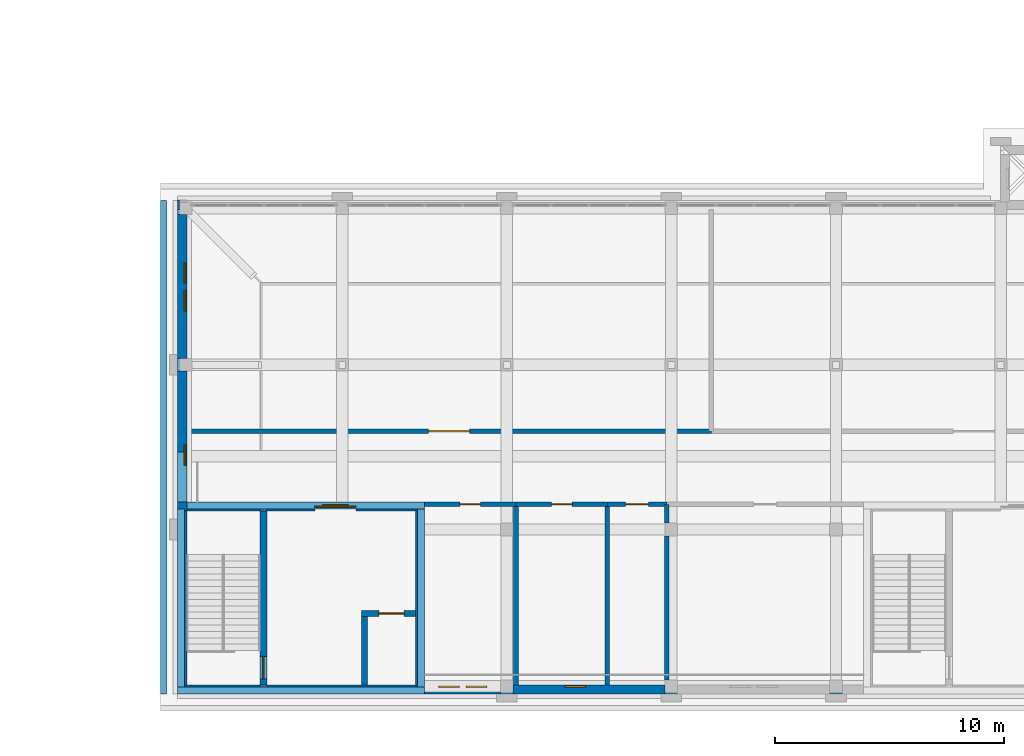
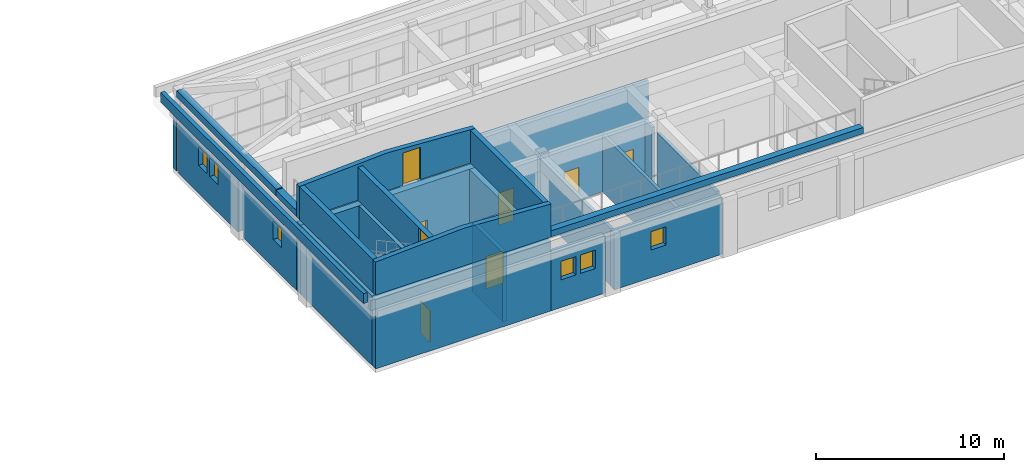
# One storey, part 35 of 48: 29 walls, 9 doors, 6 windows, 15 openings.
"""IFC4 building model written with IfcOpenShell, lengths in metres."""

from ifc_helpers import new_model, si_unit, direction, frame, frame_2d, origin, place, context, subcontext, project, spatial, polyline, rectangle, outline, extrude, material, layer, layer_set, type_object, element, fill, save


model = new_model("IFC4")

# Units and contexts
model_context = context("Model", 3, precision=1e-05, world=origin(), true_north=direction((0.0, 1.0)))
body_context = subcontext(model_context, "Body", "Model", "MODEL_VIEW")
ifc_project = project(units=[si_unit("LENGTHUNIT", "METRE"), si_unit("AREAUNIT", "SQUARE_METRE"), si_unit("VOLUMEUNIT", "CUBIC_METRE"), si_unit("PLANEANGLEUNIT", "RADIAN"), si_unit("MASSUNIT", "GRAM", prefix="KILO")], contexts=[model_context])

# Site, building, storey
site_placement = place(None, origin())
site = spatial("IfcSite", under=ifc_project, at=site_placement, CompositionType="ELEMENT")
building_placement = place(site_placement, origin())
building = spatial("IfcBuilding", under=site, at=building_placement, Name="Alderwick Market Hall", CompositionType="ELEMENT")
storey_placement = place(building_placement, frame((0.0, 0.0, 14.39990234375)))
storey = spatial("IfcBuildingStorey", under=building, at=storey_placement, Name="L02", CompositionType="ELEMENT", Elevation=14.39990234375)

# Wall
ifc_material_1 = material(Name="Face brick", Category="masonry")
ifc_layer_1 = layer(ifc_material_1, 0.39990234375)
ifc_layer_set_1 = layer_set([ifc_layer_1], Name="Face brick")
wall_type_1 = type_object("IfcWallType", Name="C Brick Pier Wall 400", PredefinedType="SOLIDWALL", material=ifc_layer_set_1)
wall_1_placement = place(storey_placement, frame((158.39990234375, 28.60009765625, 0.0), z_axis=(0.0, 0.0, 1.0), x_axis=(1.0, 0.0, 0.0)))
element("IfcWall", 1, at=wall_1_placement, inside=storey, type_object=wall_type_1, Name="C.wall.L02.fac.front.01", PredefinedType="SOLIDWALL", context=body_context, shape_type="SweptSolid", body=[
    extrude(rectangle(XDim=0.0751953125, YDim=0.39990234375, at=frame_2d((0.03759765625, 0.0))), origin(), (0.0, 0.0, 1.0), 3.7001953125),
])

# Wall, openings, windows
wall_2_placement = place(storey_placement, frame((172.52490234375, 7.39990234375, 0.0), z_axis=(0.0, 0.0, 1.0), x_axis=(-1.0, 0.0, 0.0)))
wall_2 = element("IfcWall", 2, at=wall_2_placement, inside=storey, type_object=wall_type_1, Name="C.wall.L02.fac.back.02", PredefinedType="SOLIDWALL", context=body_context, shape_type="SweptSolid", body=[
    extrude(rectangle(XDim=3.324951171875, YDim=0.39990234375, at=frame_2d((1.66259765625, 0.0))), origin(), (0.0, 0.0, 1.0), 3.7001953125),
])
opening_1_placement = place(wall_2_placement, frame((0.612548828125, 0.0, 1.800048828125)))
opening_1 = element("IfcOpeningElement", 3, at=opening_1_placement, cuts=wall_2, Name="Opening C-W057", PredefinedType="OPENING", context=body_context, shape_type="SweptSolid", body=[
    extrude(rectangle(XDim=0.89990234375, YDim=1.199951171875, at=frame_2d((0.449951171875, 0.60009765625))), frame((0.0, 0.2099609375, 0.0), z_axis=(0.0, -1.0, 0.0), x_axis=(1.0, 0.0, 0.0)), (0.0, 0.0, 1.0), 0.419921875),
])
opening_2_placement = place(wall_2_placement, frame((1.8125, 0.0, 1.800048828125)))
opening_2 = element("IfcOpeningElement", 4, at=opening_2_placement, cuts=wall_2, Name="Opening C-W058", PredefinedType="OPENING", context=body_context, shape_type="SweptSolid", body=[
    extrude(rectangle(XDim=0.89990234375, YDim=1.199951171875, at=frame_2d((0.449951171875, 0.60009765625))), frame((0.0, 0.2099609375, 0.0), z_axis=(0.0, -1.0, 0.0), x_axis=(1.0, 0.0, 0.0)), (0.0, 0.0, 1.0), 0.419921875),
])
ifc_material_2 = material(Name="Aluminium frame, double glazing", Category="aluminium")
window_type = type_object("IfcWindowType", Name="C Paired Attic Window 900x1200", PartitioningType="SINGLE_PANEL", PredefinedType="WINDOW", material=ifc_material_2)
window_1_placement = place(opening_1_placement, origin())
window_1 = element("IfcWindow", 5, at=window_1_placement, inside=storey, type_object=window_type, Name="C.win.L02.057", OverallHeight=1.199951171875, OverallWidth=0.89990234375, PartitioningType="SINGLE_PANEL", PredefinedType="WINDOW", context=body_context, shape_type="SweptSolid", body=[
    extrude(rectangle(XDim=0.89990234375, YDim=1.199951171875, at=frame_2d((0.449951171875, 0.60009765625))), frame((0.0, -0.090087890625, 0.0), z_axis=(0.0, -1.0, 0.0), x_axis=(1.0, 0.0, 0.0)), (0.0, 0.0, 1.0), 0.06005859375),
])
fill(opening_1, window_1)
window_2_placement = place(opening_2_placement, origin())
window_2 = element("IfcWindow", 6, at=window_2_placement, inside=storey, type_object=window_type, Name="C.win.L02.058", OverallHeight=1.199951171875, OverallWidth=0.89990234375, PartitioningType="SINGLE_PANEL", PredefinedType="WINDOW", context=body_context, shape_type="SweptSolid", body=[
    extrude(rectangle(XDim=0.89990234375, YDim=1.199951171875, at=frame_2d((0.449951171875, 0.60009765625))), frame((0.0, -0.090087890625, 0.0), z_axis=(0.0, -1.0, 0.0), x_axis=(1.0, 0.0, 0.0)), (0.0, 0.0, 1.0), 0.06005859375),
])
fill(opening_2, window_2)

# Wall, opening, window
wall_3_placement = place(storey_placement, frame((179.72509765625, 7.39990234375, 0.0), z_axis=(0.0, 0.0, 1.0), x_axis=(-1.0, 0.0, 0.0)))
wall_3 = element("IfcWall", 7, at=wall_3_placement, inside=storey, type_object=wall_type_1, Name="C.wall.L02.fac.back.03", PredefinedType="SOLIDWALL", context=body_context, shape_type="SweptSolid", body=[
    extrude(rectangle(XDim=6.650146484375, YDim=0.39990234375, at=frame_2d((3.3251953125, 0.0))), origin(), (0.0, 0.0, 1.0), 3.7001953125),
])
opening_3_placement = place(wall_3_placement, frame((3.47509765625, 0.0, 1.800048828125)))
opening_3 = element("IfcOpeningElement", 8, at=opening_3_placement, cuts=wall_3, Name="Opening C-W059", PredefinedType="OPENING", context=body_context, shape_type="SweptSolid", body=[
    extrude(rectangle(XDim=0.89990234375, YDim=1.199951171875, at=frame_2d((0.449951171875, 0.60009765625))), frame((0.0, 0.2099609375, 0.0), z_axis=(0.0, -1.0, 0.0), x_axis=(1.0, 0.0, 0.0)), (0.0, 0.0, 1.0), 0.419921875),
])
window_3_placement = place(opening_3_placement, origin())
window_3 = element("IfcWindow", 9, at=window_3_placement, inside=storey, type_object=window_type, Name="C.win.L02.059", OverallHeight=1.199951171875, OverallWidth=0.89990234375, PartitioningType="SINGLE_PANEL", PredefinedType="WINDOW", context=body_context, shape_type="SweptSolid", body=[
    extrude(rectangle(XDim=0.89990234375, YDim=1.199951171875, at=frame_2d((0.449951171875, 0.60009765625))), frame((0.0, -0.090087890625, 0.0), z_axis=(0.0, -1.0, 0.0), x_axis=(1.0, 0.0, 0.0)), (0.0, 0.0, 1.0), 0.06005859375),
])
fill(opening_3, window_3)

# Walls
ifc_material_3 = material(Name="Concrete 5000 psi (f'c 35 MPa)", Category="concrete")
ifc_layer_2 = layer(ifc_material_3, 0.39990234375)
ifc_layer_set_2 = layer_set([ifc_layer_2], Name="Concrete 5000 psi (f'c 35 MPa)")
wall_type_2 = type_object("IfcWallType", Name="C Core Wall Concrete 5000 psi 400", PredefinedType="SHEAR", material=ifc_layer_set_2)
wall_4_placement = place(storey_placement, frame((158.60009765625, 7.60009765625, 0.0), z_axis=(0.0, 0.0, 1.0), x_axis=(0.0, 1.0, 0.0)))
element("IfcWall", 10, at=wall_4_placement, inside=storey, type_object=wall_type_2, Name="C.wall.L02.fac.west.04", PredefinedType="SHEAR", context=body_context, shape_type="SweptSolid", body=[
    extrude(rectangle(XDim=7.599853515625, YDim=0.39990234375, at=frame_2d((3.7998046875, 0.0))), origin(), (0.0, 0.0, 1.0), 4.5),
])
wall_5_placement = place(storey_placement, frame((169.199951171875, 7.39990234375, 0.0), z_axis=(0.0, 0.0, 1.0), x_axis=(-1.0, 0.0, 0.0)))
element("IfcWall", 11, at=wall_5_placement, inside=storey, type_object=wall_type_2, Name="C.wall.L02.fac.back.01", PredefinedType="SHEAR", context=body_context, shape_type="SweptSolid", body=[
    extrude(rectangle(XDim=10.800048828125, YDim=0.39990234375, at=frame_2d((5.39990234375, 0.0))), origin(), (0.0, 0.0, 1.0), 4.5),
])

# Wall, opening, door
wall_6_placement = place(storey_placement, frame((158.39990234375, 15.39990234375, 0.0), z_axis=(0.0, 0.0, 1.0), x_axis=(1.0, 0.0, 0.0)))
wall_6 = element("IfcWall", 12, at=wall_6_placement, inside=storey, type_object=wall_type_2, Name="C.wall.L02.core.A.front.01", PredefinedType="SHEAR", context=body_context, shape_type="SweptSolid", body=[
    extrude(rectangle(XDim=10.800048828125, YDim=0.39990234375, at=frame_2d((5.39990234375, 0.0))), origin(), (0.0, 0.0, 1.0), 4.5),
])
opening_4_placement = place(wall_6_placement, frame((6.0, 0.0, 0.0)))
opening_4 = element("IfcOpeningElement", 13, at=opening_4_placement, cuts=wall_6, Name="Opening C-D073", PredefinedType="OPENING", context=body_context, shape_type="SweptSolid", body=[
    extrude(rectangle(XDim=1.800048828125, YDim=2.10009765625, at=frame_2d((0.89990234375, 1.050048828125))), frame((0.0, 0.2099609375, 0.0), z_axis=(0.0, -1.0, 0.0), x_axis=(1.0, 0.0, 0.0)), (0.0, 0.0, 1.0), 0.419921875),
])
ifc_material_4 = material(Name="Steel, insulated", Category="steel")
door_type_1 = type_object("IfcDoorType", Name="C Fire Door Pair FD90 1800x2100", OperationType="NOTDEFINED", PredefinedType="DOOR", material=ifc_material_4)
door_1_placement = place(opening_4_placement, origin())
door_1 = element("IfcDoor", 14, at=door_1_placement, inside=storey, type_object=door_type_1, Name="C.door.L02.073", OperationType="NOTDEFINED", OverallHeight=2.10009765625, OverallWidth=1.800048828125, PredefinedType="DOOR", context=body_context, shape_type="SweptSolid", body=[
    extrude(rectangle(XDim=1.800048828125, YDim=2.10009765625, at=frame_2d((0.89990234375, 1.050048828125))), frame((0.0, 0.02490234375, 0.0), z_axis=(0.0, -1.0, 0.0), x_axis=(1.0, 0.0, 0.0)), (0.0, 0.0, 1.0), 0.050048828125),
])
fill(opening_4, door_1)

# Walls
wall_7_placement = place(storey_placement, frame((169.0, 15.199951171875, 0.0), z_axis=(0.0, 0.0, 1.0), x_axis=(0.0, -1.0, 0.0)))
element("IfcWall", 15, at=wall_7_placement, inside=storey, type_object=wall_type_2, Name="C.wall.L02.core.A.east.01", PredefinedType="SHEAR", context=body_context, shape_type="SweptSolid", body=[
    extrude(rectangle(XDim=7.599853515625, YDim=0.39990234375, at=frame_2d((3.7998046875, 0.0))), origin(), (0.0, 0.0, 1.0), 4.5),
])
ifc_material_5 = material(Name="Cast stone 5000 psi", Category="masonry")
ifc_layer_3 = layer(ifc_material_5, 0.25)
ifc_layer_set_3 = layer_set([ifc_layer_3], Name="Cast stone 5000 psi")
wall_type_3 = type_object("IfcWallType", Name="C Cornice Fascia Cast Stone 250x650", PredefinedType="SOLIDWALL", material=ifc_layer_set_3)
wall_8_placement = place(storey_placement, frame((157.77490234375, 7.199951171875, 4.5), z_axis=(0.0, 0.0, 1.0), x_axis=(0.0, 1.0, 0.0)))
element("IfcWall", 16, at=wall_8_placement, inside=storey, type_object=wall_type_3, Name="C.wall.L02.fascia.west.01", PredefinedType="SOLIDWALL", context=body_context, shape_type="SweptSolid", body=[
    extrude(rectangle(XDim=21.60009765625, YDim=0.25, at=frame_2d((10.800048828125, 0.0))), origin(), (0.0, 0.0, 1.0), 0.650146484375),
])
ifc_layer_4 = layer(ifc_material_3, 0.39990234375)
ifc_layer_set_4 = layer_set([ifc_layer_4], Name="Concrete 5000 psi (f'c 35 MPa)")
wall_type_4 = type_object("IfcWallType", Name="C Eaves Kerb Concrete 5000 psi 400", PredefinedType="SOLIDWALL", material=ifc_layer_set_4)
wall_9_placement = place(storey_placement, frame((158.60009765625, 17.800048828125, 4.800048828125), z_axis=(0.0, 0.0, 1.0), x_axis=(0.0, 1.0, 0.0)))
element("IfcWall", 17, at=wall_9_placement, inside=storey, type_object=wall_type_4, Name="C.wall.L02.kerb.west.01", PredefinedType="SOLIDWALL", context=body_context, shape_type="SweptSolid", body=[
    extrude(rectangle(XDim=10.599853515625, YDim=0.39990234375, at=frame_2d((5.2998046875, 0.0))), origin(), (0.0, 0.0, 1.0), 0.449951171875),
])

# Wall, openings, windows
ifc_layer_5 = layer(ifc_material_3, 0.39990234375)
ifc_layer_set_5 = layer_set([ifc_layer_5], Name="Concrete 5000 psi (f'c 35 MPa)")
wall_type_5 = type_object("IfcWallType", Name="C End Shear Wall Concrete 5000 psi 400", PredefinedType="SHEAR", material=ifc_layer_set_5)
wall_10_placement = place(storey_placement, frame((158.60009765625, 21.875, 0.0), z_axis=(0.0, 0.0, 1.0), x_axis=(0.0, 1.0, 0.0)))
wall_10 = element("IfcWall", 18, at=wall_10_placement, inside=storey, type_object=wall_type_5, Name="C.wall.L02.fac.west.02", PredefinedType="SHEAR", context=body_context, shape_type="SweptSolid", body=[
    extrude(rectangle(XDim=6.300048828125, YDim=0.39990234375, at=frame_2d((3.14990234375, 0.0))), origin(), (0.0, 0.0, 1.0), 3.7001953125),
])
opening_5_placement = place(wall_10_placement, frame((2.10009765625, 0.0, 1.800048828125)))
opening_5 = element("IfcOpeningElement", 19, at=opening_5_placement, cuts=wall_10, Name="Opening C-W054", PredefinedType="OPENING", context=body_context, shape_type="SweptSolid", body=[
    extrude(rectangle(XDim=0.89990234375, YDim=1.199951171875, at=frame_2d((0.449951171875, 0.60009765625))), frame((0.0, 0.2099609375, 0.0), z_axis=(0.0, -1.0, 0.0), x_axis=(1.0, 0.0, 0.0)), (0.0, 0.0, 1.0), 0.419921875),
])
opening_6_placement = place(wall_10_placement, frame((3.300048828125, 0.0, 1.800048828125)))
opening_6 = element("IfcOpeningElement", 20, at=opening_6_placement, cuts=wall_10, Name="Opening C-W055", PredefinedType="OPENING", context=body_context, shape_type="SweptSolid", body=[
    extrude(rectangle(XDim=0.89990234375, YDim=1.199951171875, at=frame_2d((0.449951171875, 0.60009765625))), frame((0.0, 0.2099609375, 0.0), z_axis=(0.0, -1.0, 0.0), x_axis=(1.0, 0.0, 0.0)), (0.0, 0.0, 1.0), 0.419921875),
])
window_4_placement = place(opening_5_placement, origin())
window_4 = element("IfcWindow", 21, at=window_4_placement, inside=storey, type_object=window_type, Name="C.win.L02.054", OverallHeight=1.199951171875, OverallWidth=0.89990234375, PartitioningType="SINGLE_PANEL", PredefinedType="WINDOW", context=body_context, shape_type="SweptSolid", body=[
    extrude(rectangle(XDim=0.89990234375, YDim=1.199951171875, at=frame_2d((0.449951171875, 0.60009765625))), frame((0.0, -0.090087890625, 0.0), z_axis=(0.0, -1.0, 0.0), x_axis=(1.0, 0.0, 0.0)), (0.0, 0.0, 1.0), 0.06005859375),
])
fill(opening_5, window_4)
window_5_placement = place(opening_6_placement, origin())
window_5 = element("IfcWindow", 22, at=window_5_placement, inside=storey, type_object=window_type, Name="C.win.L02.055", OverallHeight=1.199951171875, OverallWidth=0.89990234375, PartitioningType="SINGLE_PANEL", PredefinedType="WINDOW", context=body_context, shape_type="SweptSolid", body=[
    extrude(rectangle(XDim=0.89990234375, YDim=1.199951171875, at=frame_2d((0.449951171875, 0.60009765625))), frame((0.0, -0.090087890625, 0.0), z_axis=(0.0, -1.0, 0.0), x_axis=(1.0, 0.0, 0.0)), (0.0, 0.0, 1.0), 0.06005859375),
])
fill(opening_6, window_5)

# Wall, opening, window
wall_11_placement = place(storey_placement, frame((158.60009765625, 15.199951171875, 0.0), z_axis=(0.0, 0.0, 1.0), x_axis=(0.0, 1.0, 0.0)))
wall_11 = element("IfcWall", 23, at=wall_11_placement, inside=storey, type_object=wall_type_5, Name="C.wall.L02.fac.west.03", PredefinedType="SHEAR", context=body_context, shape_type="SweptSolid", body=[
    extrude(rectangle(XDim=6.125, YDim=0.39990234375, at=frame_2d((3.0625, 0.0))), origin(), (0.0, 0.0, 1.0), 3.7001953125),
])
opening_7_placement = place(wall_11_placement, frame((2.012451171875, 0.0, 1.800048828125)))
opening_7 = element("IfcOpeningElement", 24, at=opening_7_placement, cuts=wall_11, Name="Opening C-W056", PredefinedType="OPENING", context=body_context, shape_type="SweptSolid", body=[
    extrude(rectangle(XDim=0.89990234375, YDim=1.199951171875, at=frame_2d((0.449951171875, 0.60009765625))), frame((0.0, 0.2099609375, 0.0), z_axis=(0.0, -1.0, 0.0), x_axis=(1.0, 0.0, 0.0)), (0.0, 0.0, 1.0), 0.419921875),
])
window_6_placement = place(opening_7_placement, origin())
window_6 = element("IfcWindow", 25, at=window_6_placement, inside=storey, type_object=window_type, Name="C.win.L02.056", OverallHeight=1.199951171875, OverallWidth=0.89990234375, PartitioningType="SINGLE_PANEL", PredefinedType="WINDOW", context=body_context, shape_type="SweptSolid", body=[
    extrude(rectangle(XDim=0.89990234375, YDim=1.199951171875, at=frame_2d((0.449951171875, 0.60009765625))), frame((0.0, -0.090087890625, 0.0), z_axis=(0.0, -1.0, 0.0), x_axis=(1.0, 0.0, 0.0)), (0.0, 0.0, 1.0), 0.06005859375),
])
fill(opening_7, window_6)

# Wall, opening, door
ifc_material_6 = material(Name="Gypsum board on steel studs", Category="steel")
ifc_layer_6 = layer(ifc_material_6, 0.199951171875)
ifc_layer_set_6 = layer_set([ifc_layer_6], Name="Gypsum board on steel studs")
wall_type_6 = type_object("IfcWallType", Name="C Fire Partition Wall 200", PredefinedType="PARTITIONING", material=ifc_layer_set_6)
wall_12_placement = place(storey_placement, frame((158.800048828125, 18.699951171875, 0.0), z_axis=(0.0, 0.0, 1.0), x_axis=(1.0, 0.0, 0.0)))
wall_12 = element("IfcWall", 26, at=wall_12_placement, inside=storey, type_object=wall_type_6, Name="C.wall.L02.part.001", PredefinedType="PARTITIONING", context=body_context, shape_type="SweptSolid", body=[
    extrude(rectangle(XDim=22.949951171875, YDim=0.199951171875, at=frame_2d((11.47509765625, 0.0))), origin(), (0.0, 0.0, 1.0), 3.7001953125),
])
opening_8_placement = place(wall_12_placement, frame((10.574951171875, 0.0, 0.0)))
opening_8 = element("IfcOpeningElement", 27, at=opening_8_placement, cuts=wall_12, Name="Opening C-D080", PredefinedType="OPENING", context=body_context, shape_type="SweptSolid", body=[
    extrude(rectangle(XDim=1.800048828125, YDim=2.10009765625, at=frame_2d((0.89990234375, 1.050048828125))), frame((0.0, 0.10986328125, 0.0), z_axis=(0.0, -1.0, 0.0), x_axis=(1.0, 0.0, 0.0)), (0.0, 0.0, 1.0), 0.219970703125),
])
door_type_2 = type_object("IfcDoorType", Name="C Fire Door Pair FD60 1800x2100", OperationType="NOTDEFINED", PredefinedType="DOOR", material=ifc_material_4)
door_2_placement = place(opening_8_placement, origin())
door_2 = element("IfcDoor", 28, at=door_2_placement, inside=storey, type_object=door_type_2, Name="C.door.L02.080", OperationType="NOTDEFINED", OverallHeight=2.10009765625, OverallWidth=1.800048828125, PredefinedType="DOOR", context=body_context, shape_type="SweptSolid", body=[
    extrude(rectangle(XDim=1.800048828125, YDim=2.10009765625, at=frame_2d((0.89990234375, 1.050048828125))), frame((0.0, 0.02490234375, 0.0), z_axis=(0.0, -1.0, 0.0), x_axis=(1.0, 0.0, 0.0)), (0.0, 0.0, 1.0), 0.050048828125),
])
fill(opening_8, door_2)

ifc_layer_7 = layer(ifc_material_3, 0.300048828125)
ifc_layer_set_7 = layer_set([ifc_layer_7], Name="Concrete 5000 psi (f'c 35 MPa)")
wall_type_7 = type_object("IfcWallType", Name="C Head-house Wall Concrete 5000 psi 300", PredefinedType="SOLIDWALL", material=ifc_layer_set_7)
wall_13_placement = place(storey_placement, frame((158.39990234375, 15.449951171875, 4.800048828125), z_axis=(0.0, 0.0, 1.0), x_axis=(1.0, 0.0, 0.0)))
wall_13 = element("IfcWall", 29, at=wall_13_placement, inside=storey, type_object=wall_type_7, Name="C.wall.L02.head.A.front.01", PredefinedType="SOLIDWALL", context=body_context, shape_type="SweptSolid", body=[
    extrude(outline(polyline([(0.0, 0.0), (10.800048828125, 0.0), (10.800048828125, 2.150146484375), (5.39990234375, 2.449951171875), (0.0, 2.150146484375), (0.0, 0.0)])), frame((0.0, 0.14990234375, 0.0), z_axis=(0.0, -1.0, 0.0), x_axis=(1.0, 0.0, 0.0)), (0.0, 0.0, 1.0), 0.300048828125),
])
opening_9_placement = place(wall_13_placement, frame((6.35009765625, 0.0, 0.0)))
opening_9 = element("IfcOpeningElement", 30, at=opening_9_placement, cuts=wall_13, Name="Opening C-D091", PredefinedType="OPENING", context=body_context, shape_type="SweptSolid", body=[
    extrude(rectangle(XDim=1.10009765625, YDim=2.10009765625, at=frame_2d((0.550048828125, 1.050048828125))), frame((0.0, 0.159912109375, 0.0), z_axis=(0.0, -1.0, 0.0), x_axis=(1.0, 0.0, 0.0)), (0.0, 0.0, 1.0), 0.320068359375),
])
door_type_3 = type_object("IfcDoorType", Name="C Exit Door FD60 1100x2100", OperationType="NOTDEFINED", PredefinedType="DOOR", material=ifc_material_4)
door_3_placement = place(opening_9_placement, origin())
door_3 = element("IfcDoor", 31, at=door_3_placement, inside=storey, type_object=door_type_3, Name="C.door.L02.091", OperationType="NOTDEFINED", OverallHeight=2.10009765625, OverallWidth=1.10009765625, PredefinedType="DOOR", context=body_context, shape_type="SweptSolid", body=[
    extrude(rectangle(XDim=1.10009765625, YDim=2.10009765625, at=frame_2d((0.550048828125, 1.050048828125))), frame((0.0, 0.02490234375, 0.0), z_axis=(0.0, -1.0, 0.0), x_axis=(1.0, 0.0, 0.0)), (0.0, 0.0, 1.0), 0.050048828125),
])
fill(opening_9, door_3)

# Walls
wall_14_placement = place(storey_placement, frame((158.39990234375, 7.35009765625, 4.800048828125), z_axis=(0.0, 0.0, 1.0), x_axis=(1.0, 0.0, 0.0)))
element("IfcWall", 32, at=wall_14_placement, inside=storey, type_object=wall_type_7, Name="C.wall.L02.head.A.back.01", PredefinedType="SOLIDWALL", context=body_context, shape_type="SweptSolid", body=[
    extrude(outline(polyline([(0.0, 0.0), (10.800048828125, 0.0), (10.800048828125, 2.150146484375), (5.39990234375, 2.449951171875), (0.0, 2.150146484375), (0.0, 0.0)])), frame((0.0, 0.14990234375, 0.0), z_axis=(0.0, -1.0, 0.0), x_axis=(1.0, 0.0, 0.0)), (0.0, 0.0, 1.0), 0.300048828125),
])
for number, where, z_axis, x_axis, name in (
    (33, (158.550048828125, 15.300048828125, 4.800048828125), (0.0, 0.0, 1.0), (0.0, -1.0, 0.0), "C.wall.L02.head.A.west.01"),
    (34, (169.050048828125, 15.300048828125, 4.800048828125), (0.0, 0.0, 1.0), (0.0, -1.0, 0.0), "C.wall.L02.head.A.east.01"),
):
    element("IfcWall", number, at=place(storey_placement, frame(where, z_axis=z_axis, x_axis=x_axis)), inside=storey, type_object=wall_type_7, Name=name, PredefinedType="SOLIDWALL", context=body_context, shape_type="SweptSolid", body=[
        extrude(rectangle(XDim=7.800048828125, YDim=0.300048828125, at=frame_2d((3.89990234375, 0.0))), origin(), (0.0, 0.0, 1.0), 2.150146484375),
    ])

# Wall, opening, door
wall_15_placement = place(storey_placement, frame((162.14990234375, 15.300048828125, 4.800048828125), z_axis=(0.0, 0.0, 1.0), x_axis=(0.0, -1.0, 0.0)))
wall_15 = element("IfcWall", 35, at=wall_15_placement, inside=storey, type_object=wall_type_7, Name="C.wall.L02.head.A.div.01", PredefinedType="SOLIDWALL", context=body_context, shape_type="SweptSolid", body=[
    extrude(rectangle(XDim=7.800048828125, YDim=0.300048828125, at=frame_2d((3.89990234375, 0.0))), origin(), (0.0, 0.0, 1.0), 2.150146484375),
])
opening_10_placement = place(wall_15_placement, frame((6.449951171875, 0.0, 0.0)))
opening_10 = element("IfcOpeningElement", 36, at=opening_10_placement, cuts=wall_15, Name="Opening C-D090", PredefinedType="OPENING", context=body_context, shape_type="SweptSolid", body=[
    extrude(rectangle(XDim=1.0, YDim=2.10009765625, at=frame_2d((0.5, 1.050048828125))), frame((0.0, 0.159912109375, 0.0), z_axis=(0.0, -1.0, 0.0), x_axis=(1.0, 0.0, 0.0)), (0.0, 0.0, 1.0), 0.320068359375),
])
door_type_4 = type_object("IfcDoorType", Name="C Fire Door FD90 1000x2100", OperationType="NOTDEFINED", PredefinedType="DOOR", material=ifc_material_4)
door_4_placement = place(opening_10_placement, origin())
door_4 = element("IfcDoor", 37, at=door_4_placement, inside=storey, type_object=door_type_4, Name="C.door.L02.090", OperationType="NOTDEFINED", OverallHeight=2.10009765625, OverallWidth=1.0, PredefinedType="DOOR", context=body_context, shape_type="SweptSolid", body=[
    extrude(rectangle(XDim=1.0, YDim=2.10009765625, at=frame_2d((0.5, 1.050048828125))), frame((0.0, 0.02490234375, 0.0), z_axis=(0.0, -1.0, 0.0), x_axis=(1.0, 0.0, 0.0)), (0.0, 0.0, 1.0), 0.050048828125),
])
fill(opening_10, door_4)

# Wall
ifc_layer_8 = layer(ifc_material_3, 0.25)
ifc_layer_set_8 = layer_set([ifc_layer_8], Name="Concrete 5000 psi (f'c 35 MPa)")
wall_type_8 = type_object("IfcWallType", Name="C Lift Shaft Wall Concrete 5000 psi 250", PredefinedType="SHEAR", material=ifc_layer_set_8)
wall_16_placement = place(storey_placement, frame((166.574951171875, 10.85009765625, 0.0), z_axis=(0.0, 0.0, 1.0), x_axis=(0.0, -1.0, 0.0)))
element("IfcWall", 38, at=wall_16_placement, inside=storey, type_object=wall_type_8, Name="C.wall.L02.core.A.shaftw.01", PredefinedType="SHEAR", context=body_context, shape_type="SweptSolid", body=[
    extrude(rectangle(XDim=3.25, YDim=0.25, at=frame_2d((1.625, 0.0))), origin(), (0.0, 0.0, 1.0), 4.5),
])

# Wall, opening, door
wall_17_placement = place(storey_placement, frame((166.449951171875, 10.72509765625, 0.0), z_axis=(0.0, 0.0, 1.0), x_axis=(1.0, 0.0, 0.0)))
wall_17 = element("IfcWall", 39, at=wall_17_placement, inside=storey, type_object=wall_type_8, Name="C.wall.L02.core.A.shaftf.01", PredefinedType="SHEAR", context=body_context, shape_type="SweptSolid", body=[
    extrude(rectangle(XDim=2.35009765625, YDim=0.25, at=frame_2d((1.175048828125, 0.0))), origin(), (0.0, 0.0, 1.0), 4.5),
])
opening_11_placement = place(wall_17_placement, frame((0.75, 0.0, 0.0)))
opening_11 = element("IfcOpeningElement", 40, at=opening_11_placement, cuts=wall_17, Name="Opening C-D074", PredefinedType="OPENING", context=body_context, shape_type="SweptSolid", body=[
    extrude(rectangle(XDim=1.10009765625, YDim=2.10009765625, at=frame_2d((0.550048828125, 1.050048828125))), frame((0.0, 0.135009765625, 0.0), z_axis=(0.0, -1.0, 0.0), x_axis=(1.0, 0.0, 0.0)), (0.0, 0.0, 1.0), 0.27001953125),
])
ifc_material_7 = material(Name="Stainless steel", Category="steel")
door_type_5 = type_object("IfcDoorType", Name="C Lift Landing Door 1100x2100", OperationType="SLIDING_TO_LEFT", PredefinedType="DOOR", material=ifc_material_7)
door_5_placement = place(opening_11_placement, origin())
door_5 = element("IfcDoor", 41, at=door_5_placement, inside=storey, type_object=door_type_5, Name="C.door.L02.074", OperationType="SLIDING_TO_LEFT", OverallHeight=2.10009765625, OverallWidth=1.10009765625, PredefinedType="DOOR", context=body_context, shape_type="SweptSolid", body=[
    extrude(rectangle(XDim=1.10009765625, YDim=2.10009765625, at=frame_2d((0.550048828125, 1.050048828125))), frame((0.0, 0.02490234375, 0.0), z_axis=(0.0, -1.0, 0.0), x_axis=(1.0, 0.0, 0.0)), (0.0, 0.0, 1.0), 0.050048828125),
])
fill(opening_11, door_5)

ifc_layer_9 = layer(ifc_material_6, 0.199951171875)
ifc_layer_set_9 = layer_set([ifc_layer_9], Name="Gypsum board on steel studs")
wall_type_9 = type_object("IfcWallType", Name="C Partition Wall 200", PredefinedType="PARTITIONING", material=ifc_layer_set_9)
wall_18_placement = place(storey_placement, frame((169.199951171875, 15.5, 0.0), z_axis=(0.0, 0.0, 1.0), x_axis=(1.0, 0.0, 0.0)))
wall_18 = element("IfcWall", 42, at=wall_18_placement, inside=storey, type_object=wall_type_9, Name="C.wall.L02.part.005", PredefinedType="PARTITIONING", context=body_context, shape_type="SweptSolid", body=[
    extrude(rectangle(XDim=4.0, YDim=0.199951171875, at=frame_2d((2.0, 0.0))), origin(), (0.0, 0.0, 1.0), 3.7001953125),
])
opening_12_placement = place(wall_18_placement, frame((1.550048828125, 0.0, 0.0)))
opening_12 = element("IfcOpeningElement", 43, at=opening_12_placement, cuts=wall_18, Name="Opening C-D084", PredefinedType="OPENING", context=body_context, shape_type="SweptSolid", body=[
    extrude(rectangle(XDim=0.89990234375, YDim=2.10009765625, at=frame_2d((0.449951171875, 1.050048828125))), frame((0.0, 0.10986328125, 0.0), z_axis=(0.0, -1.0, 0.0), x_axis=(1.0, 0.0, 0.0)), (0.0, 0.0, 1.0), 0.219970703125),
])
ifc_material_8 = material(Name="Timber, solid core", Category="wood")
door_type_6 = type_object("IfcDoorType", Name="C Door 900x2100", OperationType="NOTDEFINED", PredefinedType="DOOR", material=ifc_material_8)
door_6_placement = place(opening_12_placement, origin())
door_6 = element("IfcDoor", 44, at=door_6_placement, inside=storey, type_object=door_type_6, Name="C.door.L02.084", OperationType="NOTDEFINED", OverallHeight=2.10009765625, OverallWidth=0.89990234375, PredefinedType="DOOR", context=body_context, shape_type="SweptSolid", body=[
    extrude(rectangle(XDim=0.89990234375, YDim=2.10009765625, at=frame_2d((0.449951171875, 1.050048828125))), frame((0.0, 0.02490234375, 0.0), z_axis=(0.0, -1.0, 0.0), x_axis=(1.0, 0.0, 0.0)), (0.0, 0.0, 1.0), 0.050048828125),
])
fill(opening_12, door_6)

wall_19_placement = place(storey_placement, frame((173.199951171875, 15.5, 0.0), z_axis=(0.0, 0.0, 1.0), x_axis=(1.0, 0.0, 0.0)))
wall_19 = element("IfcWall", 45, at=wall_19_placement, inside=storey, type_object=wall_type_9, Name="C.wall.L02.part.006", PredefinedType="PARTITIONING", context=body_context, shape_type="SweptSolid", body=[
    extrude(rectangle(XDim=4.0, YDim=0.199951171875, at=frame_2d((2.0, 0.0))), origin(), (0.0, 0.0, 1.0), 3.7001953125),
])
opening_13_placement = place(wall_19_placement, frame((1.550048828125, 0.0, 0.0)))
opening_13 = element("IfcOpeningElement", 46, at=opening_13_placement, cuts=wall_19, Name="Opening C-D085", PredefinedType="OPENING", context=body_context, shape_type="SweptSolid", body=[
    extrude(rectangle(XDim=0.89990234375, YDim=2.10009765625, at=frame_2d((0.449951171875, 1.050048828125))), frame((0.0, 0.10986328125, 0.0), z_axis=(0.0, -1.0, 0.0), x_axis=(1.0, 0.0, 0.0)), (0.0, 0.0, 1.0), 0.219970703125),
])
door_7_placement = place(opening_13_placement, origin())
door_7 = element("IfcDoor", 47, at=door_7_placement, inside=storey, type_object=door_type_6, Name="C.door.L02.085", OperationType="NOTDEFINED", OverallHeight=2.10009765625, OverallWidth=0.89990234375, PredefinedType="DOOR", context=body_context, shape_type="SweptSolid", body=[
    extrude(rectangle(XDim=0.89990234375, YDim=2.10009765625, at=frame_2d((0.449951171875, 1.050048828125))), frame((0.0, 0.02490234375, 0.0), z_axis=(0.0, -1.0, 0.0), x_axis=(1.0, 0.0, 0.0)), (0.0, 0.0, 1.0), 0.050048828125),
])
fill(opening_13, door_7)

wall_20_placement = place(storey_placement, frame((177.199951171875, 15.5, 0.0), z_axis=(0.0, 0.0, 1.0), x_axis=(1.0, 0.0, 0.0)))
wall_20 = element("IfcWall", 48, at=wall_20_placement, inside=storey, type_object=wall_type_9, Name="C.wall.L02.part.007", PredefinedType="PARTITIONING", context=body_context, shape_type="SweptSolid", body=[
    extrude(rectangle(XDim=2.60009765625, YDim=0.199951171875, at=frame_2d((1.300048828125, 0.0))), origin(), (0.0, 0.0, 1.0), 3.7001953125),
])
opening_14_placement = place(wall_20_placement, frame((0.800048828125, 0.0, 0.0)))
opening_14 = element("IfcOpeningElement", 49, at=opening_14_placement, cuts=wall_20, Name="Opening C-D086", PredefinedType="OPENING", context=body_context, shape_type="SweptSolid", body=[
    extrude(rectangle(XDim=1.0, YDim=2.10009765625, at=frame_2d((0.5, 1.050048828125))), frame((0.0, 0.10986328125, 0.0), z_axis=(0.0, -1.0, 0.0), x_axis=(1.0, 0.0, 0.0)), (0.0, 0.0, 1.0), 0.219970703125),
])
door_type_7 = type_object("IfcDoorType", Name="C Door 1000x2100", OperationType="NOTDEFINED", PredefinedType="DOOR", material=ifc_material_8)
door_8_placement = place(opening_14_placement, origin())
door_8 = element("IfcDoor", 50, at=door_8_placement, inside=storey, type_object=door_type_7, Name="C.door.L02.086", OperationType="NOTDEFINED", OverallHeight=2.10009765625, OverallWidth=1.0, PredefinedType="DOOR", context=body_context, shape_type="SweptSolid", body=[
    extrude(rectangle(XDim=1.0, YDim=2.10009765625, at=frame_2d((0.5, 1.050048828125))), frame((0.0, 0.02490234375, 0.0), z_axis=(0.0, -1.0, 0.0), x_axis=(1.0, 0.0, 0.0)), (0.0, 0.0, 1.0), 0.050048828125),
])
fill(opening_14, door_8)

# Walls
for number, where, z_axis, x_axis, name in (
    (51, (173.199951171875, 15.5, 0.0), (0.0, 0.0, 1.0), (0.0, -1.0, 0.0), "C.wall.L02.part.011"),
    (52, (177.199951171875, 15.5, 0.0), (0.0, 0.0, 1.0), (0.0, -1.0, 0.0), "C.wall.L02.part.012"),
):
    element("IfcWall", number, at=place(storey_placement, frame(where, z_axis=z_axis, x_axis=x_axis)), inside=storey, type_object=wall_type_9, Name=name, PredefinedType="PARTITIONING", context=body_context, shape_type="SweptSolid", body=[
        extrude(rectangle(XDim=7.89990234375, YDim=0.199951171875, at=frame_2d((3.949951171875, 0.0))), origin(), (0.0, 0.0, 1.0), 3.7001953125),
    ])
wall_21_placement = place(storey_placement, frame((179.800048828125, 15.5, 0.0), z_axis=(0.0, 0.0, 1.0), x_axis=(0.0, -1.0, 0.0)))
element("IfcWall", 53, at=wall_21_placement, inside=storey, type_object=wall_type_9, Name="C.wall.L02.part.013", PredefinedType="PARTITIONING", context=body_context, shape_type="SweptSolid", body=[
    extrude(rectangle(XDim=0.824951171875, YDim=0.199951171875, at=frame_2d((0.41259765625, 0.0))), origin(), (0.0, 0.0, 1.0), 3.7001953125),
])
wall_22_placement = place(storey_placement, frame((179.800048828125, 14.125, 0.0), z_axis=(0.0, 0.0, 1.0), x_axis=(0.0, -1.0, 0.0)))
element("IfcWall", 54, at=wall_22_placement, inside=storey, type_object=wall_type_9, Name="C.wall.L02.part.014", PredefinedType="PARTITIONING", context=body_context, shape_type="SweptSolid", body=[
    extrude(rectangle(XDim=6.300048828125, YDim=0.199951171875, at=frame_2d((3.14990234375, 0.0))), origin(), (0.0, 0.0, 1.0), 3.7001953125),
])
ifc_layer_10 = layer(ifc_material_3, 0.39990234375)
ifc_layer_set_10 = layer_set([ifc_layer_10], Name="Concrete 5000 psi (f'c 35 MPa)")
wall_type_10 = type_object("IfcWallType", Name="C Roof Parapet Concrete 5000 psi 400", PredefinedType="PARAPET", material=ifc_layer_set_10)
wall_23_placement = place(storey_placement, frame((158.60009765625, 15.60009765625, 4.800048828125), z_axis=(0.0, 0.0, 1.0), x_axis=(0.0, 1.0, 0.0)))
element("IfcWall", 55, at=wall_23_placement, inside=storey, type_object=wall_type_10, Name="C.wall.L02.parapet.west.01", PredefinedType="PARAPET", context=body_context, shape_type="SweptSolid", body=[
    extrude(rectangle(XDim=2.199951171875, YDim=0.39990234375, at=frame_2d((1.10009765625, 0.0))), origin(), (0.0, 0.0, 1.0), 0.400146484375),
])
wall_24_placement = place(storey_placement, frame((188.39990234375, 7.39990234375, 4.800048828125), z_axis=(0.0, 0.0, 1.0), x_axis=(-1.0, 0.0, 0.0)))
element("IfcWall", 56, at=wall_24_placement, inside=storey, type_object=wall_type_10, Name="C.wall.L02.parapet.back.01", PredefinedType="PARAPET", context=body_context, shape_type="SweptSolid", body=[
    extrude(rectangle(XDim=19.199951171875, YDim=0.39990234375, at=frame_2d((9.60009765625, 0.0))), origin(), (0.0, 0.0, 1.0), 0.400146484375),
])

# Wall, opening, door
ifc_layer_11 = layer(ifc_material_3, 0.300048828125)
ifc_layer_set_11 = layer_set([ifc_layer_11], Name="Concrete 5000 psi (f'c 35 MPa)")
wall_type_11 = type_object("IfcWallType", Name="C Stair Divider Wall Concrete 5000 psi 300", PredefinedType="SHEAR", material=ifc_layer_set_11)
wall_25_placement = place(storey_placement, frame((162.14990234375, 15.199951171875, 0.0), z_axis=(0.0, 0.0, 1.0), x_axis=(0.0, -1.0, 0.0)))
wall_25 = element("IfcWall", 57, at=wall_25_placement, inside=storey, type_object=wall_type_11, Name="C.wall.L02.core.A.div.01", PredefinedType="SHEAR", context=body_context, shape_type="SweptSolid", body=[
    extrude(rectangle(XDim=7.599853515625, YDim=0.300048828125, at=frame_2d((3.7998046875, 0.0))), origin(), (0.0, 0.0, 1.0), 4.5),
])
opening_15_placement = place(wall_25_placement, frame((6.35009765625, 0.0, 0.0)))
opening_15 = element("IfcOpeningElement", 58, at=opening_15_placement, cuts=wall_25, Name="Opening C-D072", PredefinedType="OPENING", context=body_context, shape_type="SweptSolid", body=[
    extrude(rectangle(XDim=1.0, YDim=2.10009765625, at=frame_2d((0.5, 1.050048828125))), frame((0.0, 0.159912109375, 0.0), z_axis=(0.0, -1.0, 0.0), x_axis=(1.0, 0.0, 0.0)), (0.0, 0.0, 1.0), 0.320068359375),
])
door_9_placement = place(opening_15_placement, origin())
door_9 = element("IfcDoor", 59, at=door_9_placement, inside=storey, type_object=door_type_4, Name="C.door.L02.072", OperationType="NOTDEFINED", OverallHeight=2.10009765625, OverallWidth=1.0, PredefinedType="DOOR", context=body_context, shape_type="SweptSolid", body=[
    extrude(rectangle(XDim=1.0, YDim=2.10009765625, at=frame_2d((0.5, 1.050048828125))), frame((0.0, 0.02490234375, 0.0), z_axis=(0.0, -1.0, 0.0), x_axis=(1.0, 0.0, 0.0)), (0.0, 0.0, 1.0), 0.050048828125),
])
fill(opening_15, door_9)

save(model, "model.ifc")
